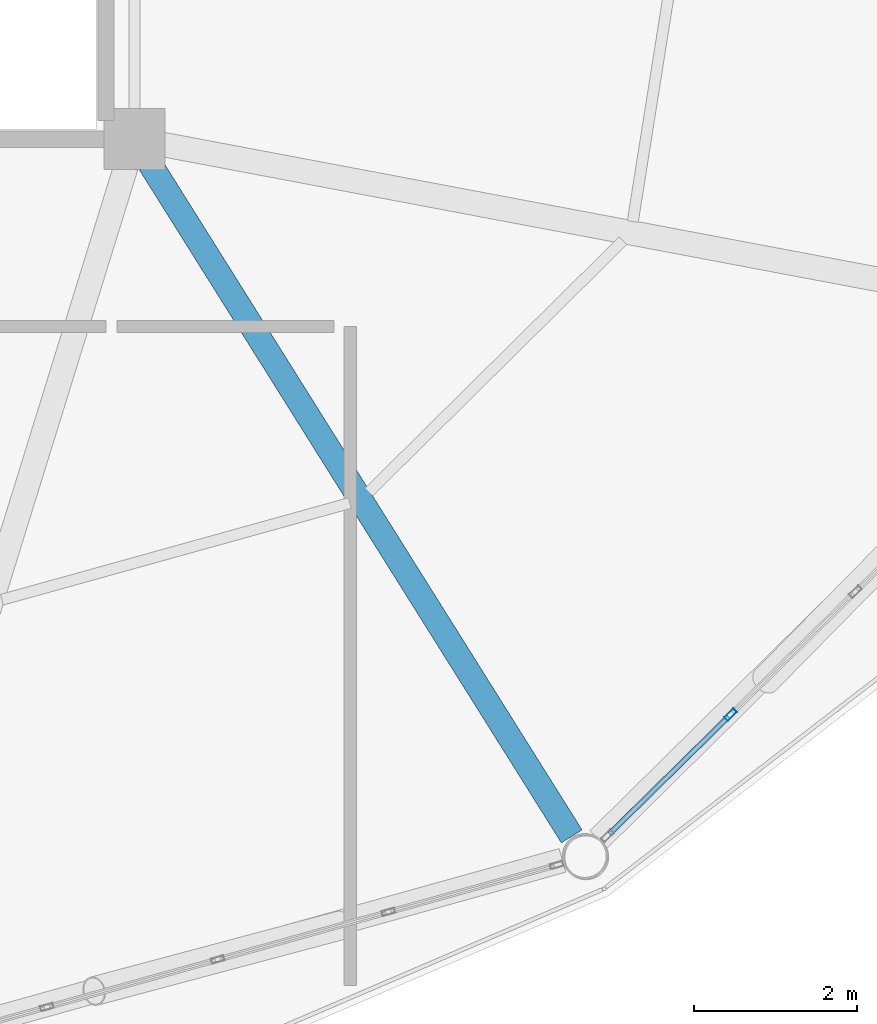
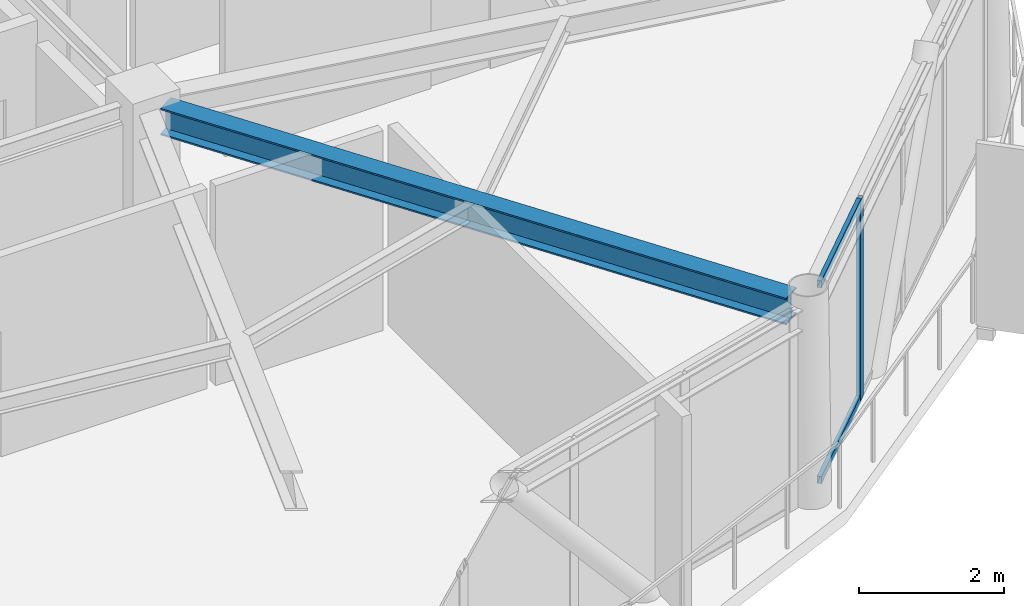
# One storey, part 8 of 27: 3 members, 1 beam, 1 element without a shape of its own.
"""IFC4 building model written with IfcOpenShell, lengths in metres."""

from ifc_helpers import new_model, si_unit, direction, frame, origin, origin_2d, place, context, subcontext, project, spatial, hollow_rectangle, i_section, extrude, material, layer, layer_set, material_profile, profile_set, type_object, element, aggregate, save


model = new_model("IFC4")

# Units and contexts
model_context = context("Model", 3, precision=1e-05, world=origin(), true_north=direction((0.0, 1.0)))
body_context = subcontext(model_context, "Body", "Model", "MODEL_VIEW")
ifc_project = project(units=[si_unit("LENGTHUNIT", "METRE"), si_unit("AREAUNIT", "SQUARE_METRE"), si_unit("VOLUMEUNIT", "CUBIC_METRE"), si_unit("PLANEANGLEUNIT", "RADIAN"), si_unit("MASSUNIT", "GRAM", prefix="KILO")], contexts=[model_context])

# Site, building, storey
site_placement = place(None, origin())
site = spatial("IfcSite", under=ifc_project, at=site_placement, CompositionType="ELEMENT")
building_placement = place(site_placement, origin())
building = spatial("IfcBuilding", under=site, at=building_placement, Name="Varnakorn Sky Granary", CompositionType="ELEMENT")
storey_placement = place(building_placement, frame((0.0, 0.0, 263.39990234375)))
storey = spatial("IfcBuildingStorey", under=building, at=storey_placement, Name="L67", CompositionType="ELEMENT", Elevation=263.39990234375)

# Beam
ifc_material_1 = material(Name="Steel S355JR", Category="steel")
ifc_material_profile_1 = material_profile(ifc_material_1, i_section(OverallWidth=0.300048828125, OverallDepth=0.449951171875, WebThickness=0.013916015625, FlangeThickness=0.02587890625, at=origin_2d()), Name="HE 450 B")
ifc_profile_set_1 = profile_set([ifc_material_profile_1], Name="Steel S355JR")
beam_type = type_object("IfcBeamType", Name="BM-RAD-Z5", PredefinedType="BEAM", material=ifc_profile_set_1)
beam_placement = place(storey_placement, frame((8.53857421875, -6.90087890625, 3.135009765625), z_axis=(0.531278683417, -0.847197120242, 0.0), x_axis=(0.847197120242, 0.531278683417, 0.0)))
element("IfcBeam", 1, at=beam_placement, inside=storey, type_object=beam_type, Name="Radial Floor Girder RG11 L67", PredefinedType="BEAM", context=body_context, shape_type="SweptSolid", body=[
    extrude(i_section(OverallWidth=0.300048828125, OverallDepth=0.449951171875, WebThickness=0.013916015625, FlangeThickness=0.02587890625, at=origin_2d()), origin(), (0.0, 0.0, 1.0), 9.752685546875),
])

# Curtain wall, members
ifc_material_2 = material(Name="Anodised Bronze Aluminium Alloy 6063-T6", Category="aluminium")
ifc_layer = layer(ifc_material_2, 0.159912109375, Name="Anodised Bronze Aluminium Alloy 6063-T6")
ifc_layer_set = layer_set([ifc_layer], Name="Anodised Bronze Aluminium Alloy 6063-T6")
curtain_wall_type = type_object("IfcCurtainWallType", Name="CW-OFF-1", PredefinedType="USERDEFINED", material=ifc_layer_set)
curtain_wall_placement = place(storey_placement, origin())
curtain_wall = element("IfcCurtainWall", 2, at=curtain_wall_placement, inside=storey, type_object=curtain_wall_type, Name="Unitised Curtain Wall CW6 CW-L67-B11", ObjectType="CURTAIN WALL", PredefinedType="USERDEFINED")
ifc_material_profile_2 = material_profile(ifc_material_2, hollow_rectangle(XDim=0.06494140625, YDim=0.159912109375, WallThickness=0.00341796875, at=origin_2d()), Name="ALU MULL 65x160")
ifc_profile_set_2 = profile_set([ifc_material_profile_2], Name="Anodised Bronze Aluminium Alloy 6063-T6")
member_type_1 = type_object("IfcMemberType", Name="CW-OFF-1-MULL", PredefinedType="MULLION", material=ifc_profile_set_2)
member_1_placement = place(storey_placement, frame((15.670654296875, -13.6689453125, 0.0), z_axis=(0.0, 0.0, 1.0), x_axis=(0.701440030116, -0.71272847856, 0.0)))
member_1 = element("IfcMember", 3, at=member_1_placement, type_object=member_type_1, Name="CW6 mullion 4", PredefinedType="MULLION", context=body_context, shape_type="SweptSolid", body=[
    extrude(hollow_rectangle(XDim=0.06494140625, YDim=0.159912109375, WallThickness=0.00341796875, at=origin_2d()), origin(), (0.0, 0.0, 1.0), 3.360107421875),
])
ifc_material_profile_3 = material_profile(ifc_material_2, hollow_rectangle(XDim=0.06494140625, YDim=0.1201171875, WallThickness=0.00341796875, at=origin_2d()), Name="ALU TRAN 65x120")
ifc_profile_set_3 = profile_set([ifc_material_profile_3], Name="Anodised Bronze Aluminium Alloy 6063-T6")
member_type_2 = type_object("IfcMemberType", Name="CW-OFF-1-TRAN", PredefinedType="USERDEFINED", material=ifc_profile_set_3)
member_2_placement = place(storey_placement, frame((15.647705078125, -13.691650390625, 0.03271484375), z_axis=(-0.712726688357, -0.701441849125, 0.0), x_axis=(0.701441849125, -0.712726688357, 0.0)))
member_2 = element("IfcMember", 4, at=member_2_placement, type_object=member_type_2, Name="CW6 transom 4.1", ObjectType="TRANSOM", PredefinedType="USERDEFINED", context=body_context, shape_type="SweptSolid", body=[
    extrude(hollow_rectangle(XDim=0.06494140625, YDim=0.1201171875, WallThickness=0.00341796875, at=origin_2d()), origin(), (0.0, 0.0, 1.0), 2.05517578125),
])
member_3_placement = place(storey_placement, frame((15.647705078125, -13.691650390625, 3.32763671875), z_axis=(-0.712726688357, -0.701441849125, 0.0), x_axis=(0.701441849125, -0.712726688357, 0.0)))
member_3 = element("IfcMember", 5, at=member_3_placement, type_object=member_type_2, Name="CW6 transom 4.2", ObjectType="TRANSOM", PredefinedType="USERDEFINED", context=body_context, shape_type="SweptSolid", body=[
    extrude(hollow_rectangle(XDim=0.06494140625, YDim=0.1201171875, WallThickness=0.00341796875, at=origin_2d()), origin(), (0.0, 0.0, 1.0), 2.05517578125),
])
aggregate(curtain_wall, [member_1, member_2, member_3])

save(model, "model.ifc")
